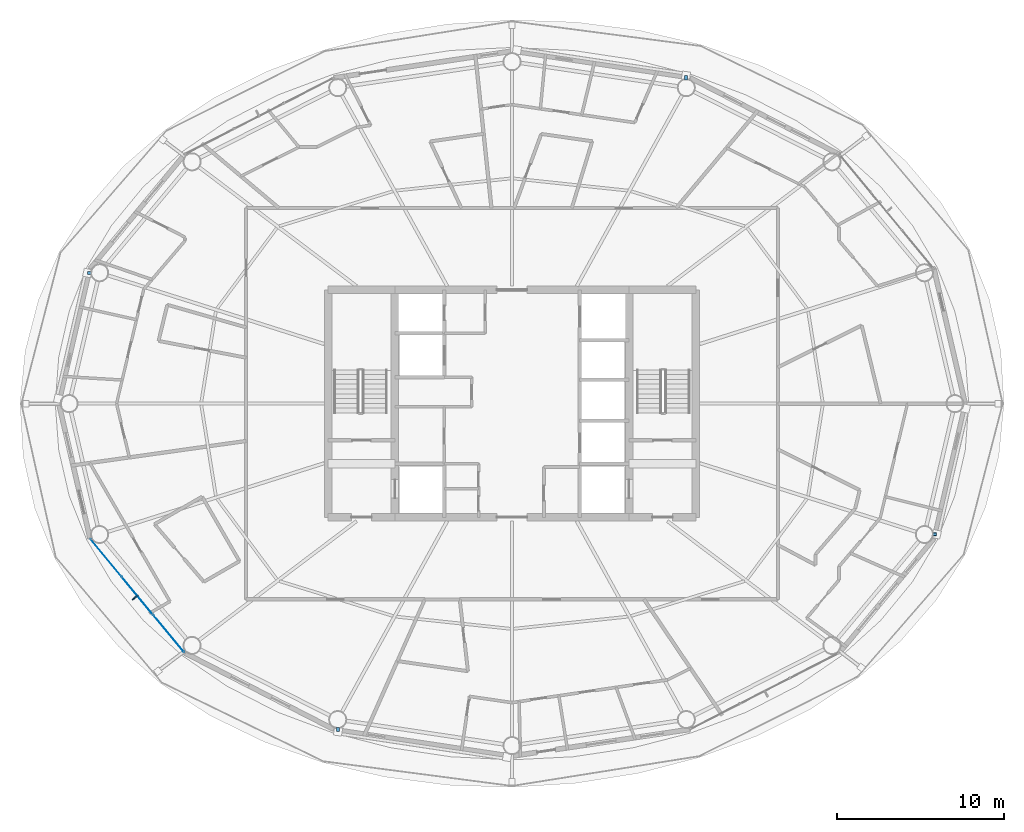
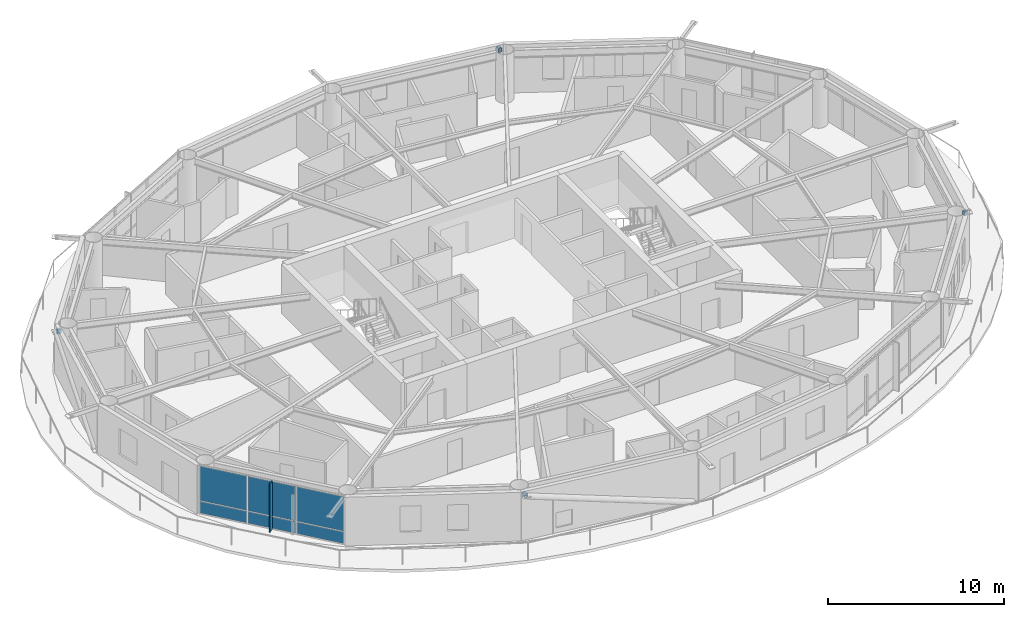
# One storey, part 16 of 28: 7 plates, 4 members, 1 element without a shape of its own.
"""IFC4 building model written with IfcOpenShell, lengths in metres."""

import ifcopenshell
import ifcopenshell.guid

model = None  # the IFC model being written
_history = None  # IfcOwnerHistory: only IFC2X3 demands one
_inside = {}  # id of a spatial element -> (the spatial element, [elements in it])
_under = {}  # id of a project, library or spatial element -> (it, [spatial elements below it])
_declared = {}  # id of a project -> (the project, [libraries it declares])
_typed = {}  # id of a type object -> (the type object, [elements of that type])
_made_of = {}  # id of a material, layer set ... -> (it, [elements and type objects made of it])


def new_model(schema):
    """Start an empty IFC model of exactly this schema.

    Asked for "IFC4X3", IfcOpenShell would pick the latest addendum, in which some entities
    have other attributes; the version numbers below select the first issue.
    IFC2X3 requires an IfcOwnerHistory on every rooted entity: one is made here for all.
    """
    global model, _history
    if schema == "IFC4X3":
        model = ifcopenshell.file(schema_version=(4, 3, 0, 0))
    else:
        model = ifcopenshell.file(schema=schema)
    _inside.clear()
    _under.clear()
    _declared.clear()
    _typed.clear()
    _made_of.clear()
    _history = None
    if model.schema == "IFC2X3":
        org = make("IfcOrganization", Name="unknown")
        user = make(
            "IfcPersonAndOrganization",
            ThePerson=make("IfcPerson", FamilyName="unknown"),
            TheOrganization=org,
        )
        app = make(
            "IfcApplication",
            ApplicationDeveloper=org,
            Version="unknown",
            ApplicationFullName="unknown",
            ApplicationIdentifier="unknown",
        )
        _history = make(
            "IfcOwnerHistory",
            OwningUser=user,
            OwningApplication=app,
            ChangeAction="ADDED",
            CreationDate=0,
        )
    return model


def make(cls, **values):
    """One entity of the class cls with the attributes given. An attribute that is None is left unset."""
    return model.create_entity(
        cls, **{name: value for name, value in values.items() if value is not None}
    )


def rooted(cls, **values):
    """An entity with a GlobalId (a new one), such as an element, a storey or a relation."""
    return make(cls, GlobalId=ifcopenshell.guid.new(), OwnerHistory=_history, **values)


def si_unit(unit_type, name, prefix=None):
    """IfcSIUnit, for example si_unit("LENGTHUNIT", "METRE", prefix="MILLI")."""
    return make("IfcSIUnit", UnitType=unit_type, Prefix=prefix, Name=name)


def assignment(units):
    """IfcUnitAssignment: the units of a project."""
    return None if units is None else make("IfcUnitAssignment", Units=units)


def point(xyz):
    """IfcCartesianPoint."""
    return None if xyz is None else make("IfcCartesianPoint", Coordinates=xyz)


def direction(xyz):
    """IfcDirection."""
    return None if xyz is None else make("IfcDirection", DirectionRatios=xyz)


def frame(location, z_axis=None, x_axis=None):
    """IfcAxis2Placement3D, a coordinate frame: its origin and axes. An axis left out is left unset."""
    return make(
        "IfcAxis2Placement3D",
        Location=point(location),
        Axis=direction(z_axis),
        RefDirection=direction(x_axis),
    )


def frame_2d(location, x_axis=None):
    """IfcAxis2Placement2D, a coordinate frame in the plane: its origin and x axis."""
    return make(
        "IfcAxis2Placement2D", Location=point(location), RefDirection=direction(x_axis)
    )


def origin():
    """The frame at (0, 0, 0) with its axes left unset."""
    return frame((0.0, 0.0, 0.0))


def origin_2d():
    """The frame at (0, 0) in the plane with its x axis left unset."""
    return frame_2d((0.0, 0.0))


def place(relative_to, where):
    """IfcLocalPlacement: puts the frame where relative to a parent placement (None: the world)."""
    return make(
        "IfcLocalPlacement", PlacementRelTo=relative_to, RelativePlacement=where
    )


def context(
    kind, dimensions, precision=None, world=None, true_north=None, identifier=None
):
    """IfcGeometricRepresentationContext, for example the 3D "Model" context."""
    return make(
        "IfcGeometricRepresentationContext",
        ContextIdentifier=identifier,
        ContextType=kind,
        CoordinateSpaceDimension=dimensions,
        Precision=precision,
        WorldCoordinateSystem=world,
        TrueNorth=true_north,
    )


def subcontext(parent, identifier, kind, view, scale=None):
    """IfcGeometricRepresentationSubContext, for example "Body" below "Model"."""
    return make(
        "IfcGeometricRepresentationSubContext",
        ContextIdentifier=identifier,
        ContextType=kind,
        ParentContext=parent,
        TargetScale=scale,
        TargetView=view,
    )


def project(units=None, contexts=None):
    """IfcProject with its units and contexts."""
    return rooted(
        "IfcProject",
        Name="project",
        RepresentationContexts=contexts,
        UnitsInContext=assignment(units),
    )


def spatial(cls, under=None, at=None, **own):
    """A site, building, storey or space (cls), placed at a placement, below another one or the project."""
    s = rooted(cls, ObjectPlacement=at, **own)
    if under is not None:
        _under.setdefault(under.id(), (under, []))[1].append(s)
    return s


def profile(cls, at=None, kind="AREA", **sizes):
    """A parametric profile (cls). Its sizes go by their IFC names, for example OverallWidth=200.0."""
    return make(cls, ProfileType=kind, Position=at, **sizes)


def rectangle(**sizes):
    """IfcRectangleProfileDef."""
    return profile("IfcRectangleProfileDef", **sizes)


def hollow_rectangle(**sizes):
    """IfcRectangleHollowProfileDef."""
    return profile("IfcRectangleHollowProfileDef", **sizes)


def extrude(swept, where, along, depth):
    """IfcExtrudedAreaSolid: the profile swept, set in the frame where, extruded along a direction by depth."""
    return make(
        "IfcExtrudedAreaSolid",
        SweptArea=swept,
        Position=where,
        ExtrudedDirection=direction(along),
        Depth=depth,
    )


def shape(context_of_items, identifier, shape_type, items):
    """IfcShapeRepresentation: the items that make up one representation, for example the "Body"."""
    return make(
        "IfcShapeRepresentation",
        ContextOfItems=context_of_items,
        RepresentationIdentifier=identifier,
        RepresentationType=shape_type,
        Items=items,
    )


def material(Name=None, Category=None):
    """IfcMaterial."""
    return make("IfcMaterial", Name=Name, Category=Category)


def layer(
    of_material, thickness, ventilated=None, Name=None, Category=None, Priority=None
):
    """IfcMaterialLayer: one layer of a wall or slab, of a material (None: an air gap)."""
    return make(
        "IfcMaterialLayer",
        Material=of_material,
        LayerThickness=thickness,
        IsVentilated=ventilated,
        Name=Name,
        Category=Category,
        Priority=Priority,
    )


def layer_set(layers, Name=None):
    """IfcMaterialLayerSet."""
    return make("IfcMaterialLayerSet", MaterialLayers=layers, LayerSetName=Name)


def material_profile(
    of_material, cross_section, Name=None, Category=None, Priority=None
):
    """IfcMaterialProfile: a cross section and its material."""
    return make(
        "IfcMaterialProfile",
        Name=Name,
        Material=of_material,
        Profile=cross_section,
        Priority=Priority,
        Category=Category,
    )


def profile_set(profiles, Name=None, composite=None):
    """IfcMaterialProfileSet."""
    return make(
        "IfcMaterialProfileSet",
        Name=Name,
        MaterialProfiles=profiles,
        CompositeProfile=composite,
    )


def made_of(thing, what):
    """Note that an element or type object is made of a material, layer set ...; save() writes the relation."""
    if what is not None:
        _made_of.setdefault(what.id(), (what, []))[1].append(thing)
    return thing


def type_object(cls, material=None, **own):
    """A type object (cls), such as IfcWallType, which elements share."""
    return made_of(rooted(cls, **own), material)


def element(
    cls,
    number,
    at=None,
    inside=None,
    cuts=None,
    type_object=None,
    material=None,
    context=None,
    identifier="Body",
    shape_type=None,
    held_by="IfcProductDefinitionShape",
    body=None,
    shapes=None,
    **own,
):
    """One element of the class cls, such as IfcWall. Its Tag is "e" and its number.

    at: its placement. inside: the storey or other place that contains it. cuts: it is an
    opening in that element (IfcRelVoidsElement). A single representation is given by context,
    identifier, shape_type and body (its items); several are given by shapes. held_by: the class
    of the entity that holds the representations. save() writes the other relations.
    """
    e = rooted(cls, Tag="e%d" % number, ObjectPlacement=at, **own)
    if body is not None:
        shapes = [shape(context, identifier, shape_type, body)]
    if shapes is not None:
        e.Representation = make(held_by, Representations=shapes)
    if inside is not None:
        _inside.setdefault(inside.id(), (inside, []))[1].append(e)
    if cuts is not None:
        rooted(
            "IfcRelVoidsElement", RelatingBuildingElement=cuts, RelatedOpeningElement=e
        )
    if type_object is not None:
        _typed.setdefault(type_object.id(), (type_object, []))[1].append(e)
    return made_of(e, material)


def aggregate(whole, parts):
    """IfcRelAggregates: a whole, such as a stair, and the parts it consists of."""
    return rooted("IfcRelAggregates", RelatingObject=whole, RelatedObjects=parts)


def save(model, path):
    """Write the relations noted so far, then the file.

    IfcRelAggregates (storeys below a building ...), IfcRelContainedInSpatialStructure (elements
    in a storey), IfcRelDefinesByType, IfcRelAssociatesMaterial and IfcRelDeclares: one each for
    every whole, place, type object, material and project.
    """
    for whole, parts in _under.values():
        aggregate(whole, parts)
    for where, things in _inside.values():
        rooted(
            "IfcRelContainedInSpatialStructure",
            RelatedElements=things,
            RelatingStructure=where,
        )
    for kind, things in _typed.values():
        rooted("IfcRelDefinesByType", RelatedObjects=things, RelatingType=kind)
    for what, things in _made_of.values():
        rooted("IfcRelAssociatesMaterial", RelatedObjects=things, RelatingMaterial=what)
    for by, libraries in _declared.values():
        rooted("IfcRelDeclares", RelatingContext=by, RelatedDefinitions=libraries)
    model.write(path)


model = new_model("IFC4")

# Units and contexts
model_context = context("Model", 3, precision=1e-05, world=origin(), true_north=direction((0.0, 1.0)))
body_context = subcontext(model_context, "Body", "Model", "MODEL_VIEW")
ifc_project = project(units=[si_unit("LENGTHUNIT", "METRE"), si_unit("AREAUNIT", "SQUARE_METRE"), si_unit("VOLUMEUNIT", "CUBIC_METRE"), si_unit("PLANEANGLEUNIT", "RADIAN"), si_unit("MASSUNIT", "GRAM", prefix="KILO")], contexts=[model_context])

# Site, building, storey
site_placement = place(None, origin())
site = spatial("IfcSite", under=ifc_project, at=site_placement, CompositionType="ELEMENT")
building_placement = place(site_placement, origin())
building = spatial("IfcBuilding", under=site, at=building_placement, Name="Sarneth Arch Tower", CompositionType="ELEMENT")
storey_placement = place(building_placement, frame((0.0, 0.0, 172.199951171875)))
storey = spatial("IfcBuildingStorey", under=building, at=storey_placement, Name="L43", CompositionType="ELEMENT", Elevation=172.199951171875)

# Members
ifc_material_1 = material(Name="Steel S355", Category="steel")
ifc_material_profile = material_profile(ifc_material_1, hollow_rectangle(XDim=0.199951171875, YDim=0.300048828125, WallThickness=0.012451171875, InnerFilletRadius=0.018798828125, OuterFilletRadius=0.03125, at=origin_2d()), Name="RHS300x200x12.5")
ifc_profile_set = profile_set([ifc_material_profile], Name="Steel S355")
member_type = type_object("IfcMemberType", Name="MEM-CANT-STRUT", PredefinedType="STRUT", material=ifc_profile_set)
member_1_placement = place(storey_placement, frame((58.410400390625, 61.36572265625, 3.050537109375), z_axis=(-0.024720435295, 0.999694403345, 0.0), x_axis=(-0.999694403345, -0.024720435295, 0.0)))
element("IfcMember", 1, at=member_1_placement, inside=storey, type_object=member_type, Name="L43 Exoskeleton brace node strut 04B", PredefinedType="STRUT", context=body_context, shape_type="SweptSolid", body=[
    extrude(hollow_rectangle(XDim=0.199951171875, YDim=0.300048828125, WallThickness=0.012451171875, InnerFilletRadius=0.018798828125, OuterFilletRadius=0.03125, at=origin_2d()), origin(), (0.0, 0.0, 1.0), 0.246826171875),
])
member_2_placement = place(storey_placement, frame((22.865478515625, 49.8173828125, 3.050537109375), z_axis=(-0.999852532481, -0.01717303968, 0.0), x_axis=(0.01717303968, -0.999852532481, 0.0)))
element("IfcMember", 2, at=member_2_placement, inside=storey, type_object=member_type, Name="L43 Exoskeleton brace node strut 08B", PredefinedType="STRUT", context=body_context, shape_type="SweptSolid", body=[
    extrude(hollow_rectangle(XDim=0.199951171875, YDim=0.300048828125, WallThickness=0.012451171875, InnerFilletRadius=0.018798828125, OuterFilletRadius=0.03125, at=origin_2d()), origin(), (0.0, 0.0, 1.0), 0.255859375),
])
member_3_placement = place(storey_placement, frame((37.589599609375, 22.63427734375, 3.050537109375), z_axis=(0.024720435295, -0.999694403345, 0.0), x_axis=(0.999694403345, 0.024720435295, 0.0)))
element("IfcMember", 3, at=member_3_placement, inside=storey, type_object=member_type, Name="L43 Exoskeleton brace node strut 12B", PredefinedType="STRUT", context=body_context, shape_type="SweptSolid", body=[
    extrude(hollow_rectangle(XDim=0.199951171875, YDim=0.300048828125, WallThickness=0.012451171875, InnerFilletRadius=0.018798828125, OuterFilletRadius=0.03125, at=origin_2d()), origin(), (0.0, 0.0, 1.0), 0.246826171875),
])
member_4_placement = place(storey_placement, frame((73.134521484375, 34.1826171875, 3.050537109375), z_axis=(0.999852532481, 0.01717303968, 0.0), x_axis=(-0.01717303968, 0.999852532481, 0.0)))
element("IfcMember", 4, at=member_4_placement, inside=storey, type_object=member_type, Name="L43 Exoskeleton brace node strut 16B", PredefinedType="STRUT", context=body_context, shape_type="SweptSolid", body=[
    extrude(hollow_rectangle(XDim=0.199951171875, YDim=0.300048828125, WallThickness=0.012451171875, InnerFilletRadius=0.018798828125, OuterFilletRadius=0.03125, at=origin_2d()), origin(), (0.0, 0.0, 1.0), 0.255859375),
])

# Curtain wall, plates
ifc_material_2 = material(Name="Anodised aluminium Type AA25 and solar-control low-e laminated IGU", Category="aluminium")
ifc_layer_1 = layer(ifc_material_2, 0.169921875)
ifc_layer_set_1 = layer_set([ifc_layer_1], Name="Anodised aluminium Type AA25 and solar-control low-e laminated IGU")
curtain_wall_type = type_object("IfcCurtainWallType", Name="CW-RES-MID", PredefinedType="NOTDEFINED", material=ifc_layer_set_1)
curtain_wall_placement = place(storey_placement, origin())
curtain_wall = element("IfcCurtainWall", 5, at=curtain_wall_placement, inside=storey, type_object=curtain_wall_type, Name="L43 Unitised curtain wall facet 10", PredefinedType="NOTDEFINED")
ifc_material_3 = material(Name="Solar-control low-e laminated IGU", Category="glass")
ifc_layer_2 = layer(ifc_material_3, 0.028076171875)
ifc_layer_set_2 = layer_set([ifc_layer_2], Name="Solar-control low-e laminated IGU")
plate_type_1 = type_object("IfcPlateType", Name="CW-PANEL", PredefinedType="CURTAIN_PANEL", material=ifc_layer_set_2)
plate_1_placement = place(storey_placement, frame((23.719970703125, 32.78173828125, 0.06005859375), z_axis=(0.0, 0.0, 1.0), x_axis=(0.637330298558, -0.770590741276, 0.0)))
plate_1 = element("IfcPlate", 6, at=plate_1_placement, type_object=plate_type_1, Name="Curtain wall glazed vision pane CW-L43-F10/P00-00", PredefinedType="CURTAIN_PANEL", context=body_context, shape_type="SweptSolid", body=[
    extrude(rectangle(XDim=2.8681640625, YDim=0.028076171875, at=origin_2d()), origin(), (0.0, 0.0, 1.0), 0.81005859375),
])
plate_2_placement = place(storey_placement, frame((23.719970703125, 32.78173828125, 0.93017578125), z_axis=(0.0, 0.0, 1.0), x_axis=(0.637330298558, -0.770590741276, 0.0)))
plate_2 = element("IfcPlate", 7, at=plate_2_placement, type_object=plate_type_1, Name="Curtain wall glazed vision pane CW-L43-F10/P00-01", PredefinedType="CURTAIN_PANEL", context=body_context, shape_type="SweptSolid", body=[
    extrude(rectangle(XDim=2.8681640625, YDim=0.028076171875, at=origin_2d()), origin(), (0.0, 0.0, 1.0), 2.389892578125),
])
plate_3_placement = place(storey_placement, frame((25.595703125, 30.513671875, 0.06005859375), z_axis=(0.0, 0.0, 1.0), x_axis=(0.637330298558, -0.770590741276, 0.0)))
plate_3 = element("IfcPlate", 8, at=plate_3_placement, type_object=plate_type_1, Name="Curtain wall glazed vision pane CW-L43-F10/P01-00", PredefinedType="CURTAIN_PANEL", context=body_context, shape_type="SweptSolid", body=[
    extrude(rectangle(XDim=2.898193359375, YDim=0.028076171875, at=origin_2d()), origin(), (0.0, 0.0, 1.0), 0.81005859375),
])
plate_4_placement = place(storey_placement, frame((25.595703125, 30.513671875, 0.93017578125), z_axis=(0.0, 0.0, 1.0), x_axis=(0.637330298558, -0.770590741276, 0.0)))
plate_4 = element("IfcPlate", 9, at=plate_4_placement, type_object=plate_type_1, Name="Curtain wall glazed vision pane CW-L43-F10/P01-01", PredefinedType="CURTAIN_PANEL", context=body_context, shape_type="SweptSolid", body=[
    extrude(rectangle(XDim=2.898193359375, YDim=0.028076171875, at=origin_2d()), origin(), (0.0, 0.0, 1.0), 2.389892578125),
])
plate_5_placement = place(storey_placement, frame((27.4716796875, 28.24560546875, 0.06005859375), z_axis=(0.0, 0.0, 1.0), x_axis=(0.637330298558, -0.770590741276, 0.0)))
plate_5 = element("IfcPlate", 10, at=plate_5_placement, type_object=plate_type_1, Name="Curtain wall glazed vision pane CW-L43-F10/P02-00", PredefinedType="CURTAIN_PANEL", context=body_context, shape_type="SweptSolid", body=[
    extrude(rectangle(XDim=2.8681640625, YDim=0.028076171875, at=origin_2d()), origin(), (0.0, 0.0, 1.0), 0.81005859375),
])
plate_6_placement = place(storey_placement, frame((27.4716796875, 28.24560546875, 0.93017578125), z_axis=(0.0, 0.0, 1.0), x_axis=(0.637330298558, -0.770590741276, 0.0)))
plate_6 = element("IfcPlate", 11, at=plate_6_placement, type_object=plate_type_1, Name="Curtain wall glazed vision pane CW-L43-F10/P02-01", PredefinedType="CURTAIN_PANEL", context=body_context, shape_type="SweptSolid", body=[
    extrude(rectangle(XDim=2.8681640625, YDim=0.028076171875, at=origin_2d()), origin(), (0.0, 0.0, 1.0), 2.389892578125),
])
aggregate(curtain_wall, [plate_1, plate_2, plate_3, plate_4, plate_5, plate_6])

# Plate
ifc_material_4 = material(Name="Extruded glazed terracotta baguette fin on Aluminium 6063-T6 carrier", Category="masonry")
ifc_layer_3 = layer(ifc_material_4, 0.080078125)
ifc_layer_set_3 = layer_set([ifc_layer_3], Name="Extruded glazed terracotta baguette fin on Aluminium 6063-T6 carrier")
plate_type_2 = type_object("IfcPlateType", Name="SHADE-TERRA-FIN", PredefinedType="SHEET", material=ifc_layer_set_3)
plate_7_placement = place(storey_placement, frame((25.46484375, 30.4052734375, 0.009765625), z_axis=(0.0, 0.0, 1.0), x_axis=(-0.770624482513, -0.637289500111, 0.0)))
element("IfcPlate", 12, at=plate_7_placement, inside=storey, type_object=plate_type_2, Name="L43 Terracotta vertical shading fin 10", PredefinedType="SHEET", context=body_context, shape_type="SweptSolid", body=[
    extrude(rectangle(XDim=0.419921875, YDim=0.080078125, at=origin_2d()), origin(), (0.0, 0.0, 1.0), 3.360107421875),
])

save(model, "model.ifc")
